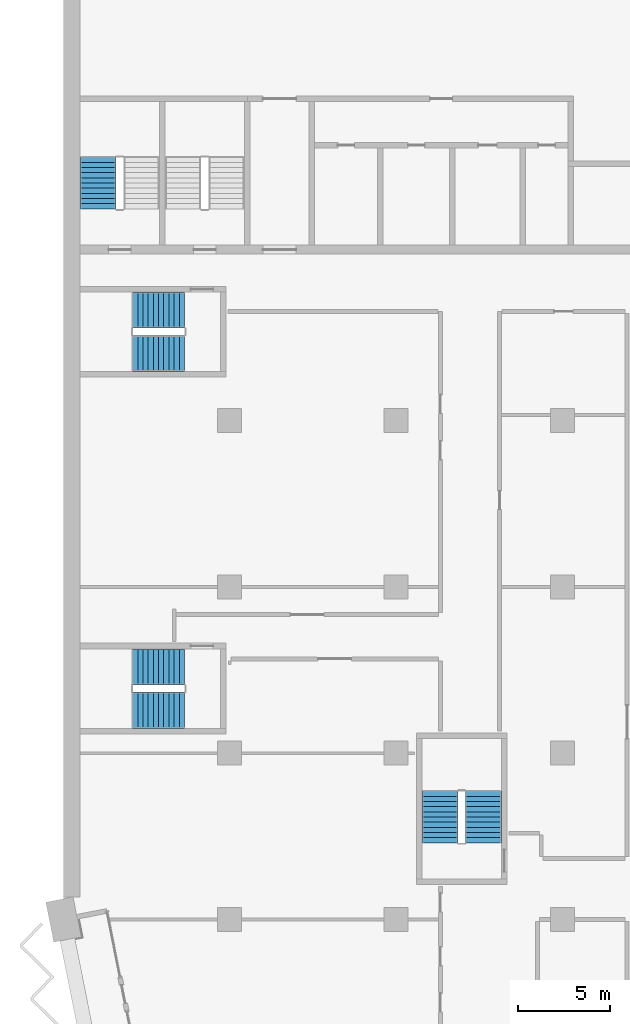
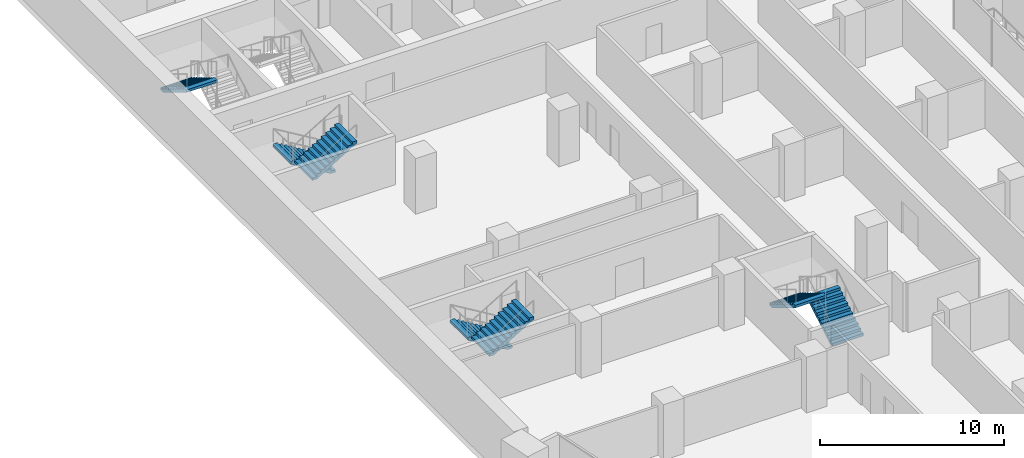
# One storey, part 16 of 23: 7 stair flights, 4 elements without a shape of their own.
"""IFC4 building model written with IfcOpenShell, lengths in metres."""

from ifc_helpers import new_model, si_unit, direction, frame, origin, place, context, subcontext, project, spatial, polyline, outline, extrude, material, type_object, element, aggregate, save


model = new_model("IFC4")

# Units and contexts
model_context = context("Model", 3, precision=1e-05, world=origin(), true_north=direction((0.0, 1.0)))
body_context = subcontext(model_context, "Body", "Model", "MODEL_VIEW")
ifc_project = project(units=[si_unit("LENGTHUNIT", "METRE"), si_unit("AREAUNIT", "SQUARE_METRE"), si_unit("VOLUMEUNIT", "CUBIC_METRE"), si_unit("PLANEANGLEUNIT", "RADIAN"), si_unit("MASSUNIT", "GRAM", prefix="KILO")], contexts=[model_context])

# Site, building, storey
site_placement = place(None, origin())
site = spatial("IfcSite", under=ifc_project, at=site_placement, CompositionType="ELEMENT")
building_placement = place(site_placement, origin())
building = spatial("IfcBuilding", under=site, at=building_placement, Name="Hunhe Ridgeline Campus", CompositionType="ELEMENT")
storey_placement = place(building_placement, frame((0.0, 0.0, 125.5)))
storey = spatial("IfcBuildingStorey", under=building, at=storey_placement, Name="L31", CompositionType="ELEMENT", Elevation=125.5)

# Stair, stair flight
ifc_material = material(Name="Concrete C40", Category="concrete")
stair_type = type_object("IfcStairType", Name="Reinforced concrete dog-leg stair 1950 Concrete C40", PredefinedType="HALF_TURN_STAIR", material=ifc_material)
stair_1_placement = place(storey_placement, origin())
stair_1 = element("IfcStair", 1, at=stair_1_placement, inside=storey, type_object=stair_type, Name="L31 S3", PredefinedType="HALF_TURN_STAIR")
stair_flight_type = type_object("IfcStairFlightType", Name="Reinforced concrete stair flight 1950 Concrete C40", PredefinedType="STRAIGHT", material=ifc_material)
stair_flight_1_placement = place(storey_placement, frame((1.875, 68.25, 1.85009765625), z_axis=(0.0, 0.0, 1.0), x_axis=(0.0, -1.0, 0.0)))
stair_flight_1 = element("IfcStairFlight", 2, at=stair_flight_1_placement, type_object=stair_flight_type, Name="ST3 flight 2", NumberOfRisers=11, NumberOfTreads=10, PredefinedType="STRAIGHT", RiserHeight=0.168181818, TreadLength=0.28, context=body_context, shape_type="SweptSolid", body=[
    extrude(outline(polyline([(0.0, 0.0), (0.0, 0.168212890625), (0.280029296875, 0.168212890625), (0.280029296875, 0.33642578125), (0.56005859375, 0.33642578125), (0.56005859375, 0.504638671875), (0.840087890625, 0.504638671875), (0.840087890625, 0.672607421875), (1.1201171875, 0.672607421875), (1.1201171875, 0.8408203125), (1.39990234375, 0.8408203125), (1.39990234375, 1.009033203125), (1.679931640625, 1.009033203125), (1.679931640625, 1.17724609375), (1.9599609375, 1.17724609375), (1.9599609375, 1.345458984375), (2.239990234375, 1.345458984375), (2.239990234375, 1.513671875), (2.52001953125, 1.513671875), (2.52001953125, 1.681884765625), (2.800048828125, 1.681884765625), (2.800048828125, 1.85009765625), (2.800048828125, 1.5068359375), (0.291015625, 0.0), (0.0, 0.0)])), frame((0.0, 0.97509765625, 0.0), z_axis=(0.0, -1.0, 0.0), x_axis=(1.0, 0.0, 0.0)), (0.0, 0.0, 1.0), 1.949951171875),
    extrude(outline(polyline([(0.030029296875, 0.030029296875), (0.030029296875, 0.13818359375), (0.31005859375, 0.13818359375), (0.31005859375, 0.306396484375), (0.590087890625, 0.306396484375), (0.590087890625, 0.474609375), (0.8701171875, 0.474609375), (0.8701171875, 0.642578125), (1.14990234375, 0.642578125), (1.14990234375, 0.810791015625), (1.429931640625, 0.810791015625), (1.429931640625, 0.97900390625), (1.7099609375, 0.97900390625), (1.7099609375, 1.147216796875), (1.989990234375, 1.147216796875), (1.989990234375, 1.3154296875), (2.27001953125, 1.3154296875), (2.27001953125, 1.483642578125), (2.550048828125, 1.483642578125), (2.550048828125, 1.65185546875), (2.77001953125, 1.65185546875), (2.77001953125, 1.52392578125), (0.28271484375, 0.030029296875), (0.030029296875, 0.030029296875)])), frame((0.0, -0.070068359375, 0.0), z_axis=(0.0, -1.0, 0.0), x_axis=(1.0, 0.0, 0.0)), (0.0, 0.0, 1.0), 0.019775390625),
    extrude(outline(polyline([(0.030029296875, 0.030029296875), (0.030029296875, 0.13818359375), (0.31005859375, 0.13818359375), (0.31005859375, 0.306396484375), (0.590087890625, 0.306396484375), (0.590087890625, 0.474609375), (0.8701171875, 0.474609375), (0.8701171875, 0.642578125), (1.14990234375, 0.642578125), (1.14990234375, 0.810791015625), (1.429931640625, 0.810791015625), (1.429931640625, 0.97900390625), (1.7099609375, 0.97900390625), (1.7099609375, 1.147216796875), (1.989990234375, 1.147216796875), (1.989990234375, 1.3154296875), (2.27001953125, 1.3154296875), (2.27001953125, 1.483642578125), (2.550048828125, 1.483642578125), (2.550048828125, 1.65185546875), (2.77001953125, 1.65185546875), (2.77001953125, 1.52392578125), (0.28271484375, 0.030029296875), (0.030029296875, 0.030029296875)])), frame((0.0, 0.010009765625, 0.0), z_axis=(0.0, -1.0, 0.0), x_axis=(1.0, 0.0, 0.0)), (0.0, 0.0, 1.0), 0.019775390625),
    extrude(outline(polyline([(0.030029296875, 0.030029296875), (0.030029296875, 0.13818359375), (0.31005859375, 0.13818359375), (0.31005859375, 0.306396484375), (0.590087890625, 0.306396484375), (0.590087890625, 0.474609375), (0.8701171875, 0.474609375), (0.8701171875, 0.642578125), (1.14990234375, 0.642578125), (1.14990234375, 0.810791015625), (1.429931640625, 0.810791015625), (1.429931640625, 0.97900390625), (1.7099609375, 0.97900390625), (1.7099609375, 1.147216796875), (1.989990234375, 1.147216796875), (1.989990234375, 1.3154296875), (2.27001953125, 1.3154296875), (2.27001953125, 1.483642578125), (2.550048828125, 1.483642578125), (2.550048828125, 1.65185546875), (2.77001953125, 1.65185546875), (2.77001953125, 1.52392578125), (0.28271484375, 0.030029296875), (0.030029296875, 0.030029296875)])), frame((0.0, 0.090087890625, 0.0), z_axis=(0.0, -1.0, 0.0), x_axis=(1.0, 0.0, 0.0)), (0.0, 0.0, 1.0), 0.019775390625),
])
aggregate(stair_1, [stair_flight_1])

# Stair, stair flights
stair_2_placement = place(storey_placement, origin())
stair_2 = element("IfcStair", 3, at=stair_2_placement, inside=storey, type_object=stair_type, Name="L31 W3", PredefinedType="HALF_TURN_STAIR")
stair_flight_2_placement = place(storey_placement, frame((22.72509765625, 31.14990234375, 0.0), z_axis=(0.0, 0.0, 1.0), x_axis=(0.0, 1.0, 0.0)))
stair_flight_2 = element("IfcStairFlight", 4, at=stair_flight_2_placement, type_object=stair_flight_type, Name="ST9 flight 1", NumberOfRisers=11, NumberOfTreads=10, PredefinedType="STRAIGHT", RiserHeight=0.168181818, TreadLength=0.28, context=body_context, shape_type="SweptSolid", body=[
    extrude(outline(polyline([(0.0, 0.0), (0.0, 0.168212890625), (0.280029296875, 0.168212890625), (0.280029296875, 0.33642578125), (0.56005859375, 0.33642578125), (0.56005859375, 0.504638671875), (0.840087890625, 0.504638671875), (0.840087890625, 0.672607421875), (1.1201171875, 0.672607421875), (1.1201171875, 0.8408203125), (1.39990234375, 0.8408203125), (1.39990234375, 1.009033203125), (1.679931640625, 1.009033203125), (1.679931640625, 1.17724609375), (1.9599609375, 1.17724609375), (1.9599609375, 1.345458984375), (2.239990234375, 1.345458984375), (2.239990234375, 1.513671875), (2.52001953125, 1.513671875), (2.52001953125, 1.681884765625), (2.800048828125, 1.681884765625), (2.800048828125, 1.85009765625), (2.800048828125, 1.5068359375), (0.291015625, 0.0), (0.0, 0.0)])), frame((0.0, 0.97509765625, 0.0), z_axis=(0.0, -1.0, 0.0), x_axis=(1.0, 0.0, 0.0)), (0.0, 0.0, 1.0), 1.949951171875),
    extrude(outline(polyline([(0.030029296875, 0.030029296875), (0.030029296875, 0.13818359375), (0.31005859375, 0.13818359375), (0.31005859375, 0.306396484375), (0.590087890625, 0.306396484375), (0.590087890625, 0.474609375), (0.8701171875, 0.474609375), (0.8701171875, 0.642578125), (1.14990234375, 0.642578125), (1.14990234375, 0.810791015625), (1.429931640625, 0.810791015625), (1.429931640625, 0.97900390625), (1.7099609375, 0.97900390625), (1.7099609375, 1.147216796875), (1.989990234375, 1.147216796875), (1.989990234375, 1.3154296875), (2.27001953125, 1.3154296875), (2.27001953125, 1.483642578125), (2.550048828125, 1.483642578125), (2.550048828125, 1.65185546875), (2.77001953125, 1.65185546875), (2.77001953125, 1.52392578125), (0.28271484375, 0.030029296875), (0.030029296875, 0.030029296875)])), frame((0.0, -0.070068359375, 0.0), z_axis=(0.0, -1.0, 0.0), x_axis=(1.0, 0.0, 0.0)), (0.0, 0.0, 1.0), 0.019775390625),
    extrude(outline(polyline([(0.030029296875, 0.030029296875), (0.030029296875, 0.13818359375), (0.31005859375, 0.13818359375), (0.31005859375, 0.306396484375), (0.590087890625, 0.306396484375), (0.590087890625, 0.474609375), (0.8701171875, 0.474609375), (0.8701171875, 0.642578125), (1.14990234375, 0.642578125), (1.14990234375, 0.810791015625), (1.429931640625, 0.810791015625), (1.429931640625, 0.97900390625), (1.7099609375, 0.97900390625), (1.7099609375, 1.147216796875), (1.989990234375, 1.147216796875), (1.989990234375, 1.3154296875), (2.27001953125, 1.3154296875), (2.27001953125, 1.483642578125), (2.550048828125, 1.483642578125), (2.550048828125, 1.65185546875), (2.77001953125, 1.65185546875), (2.77001953125, 1.52392578125), (0.28271484375, 0.030029296875), (0.030029296875, 0.030029296875)])), frame((0.0, 0.010009765625, 0.0), z_axis=(0.0, -1.0, 0.0), x_axis=(1.0, 0.0, 0.0)), (0.0, 0.0, 1.0), 0.019775390625),
    extrude(outline(polyline([(0.030029296875, 0.030029296875), (0.030029296875, 0.13818359375), (0.31005859375, 0.13818359375), (0.31005859375, 0.306396484375), (0.590087890625, 0.306396484375), (0.590087890625, 0.474609375), (0.8701171875, 0.474609375), (0.8701171875, 0.642578125), (1.14990234375, 0.642578125), (1.14990234375, 0.810791015625), (1.429931640625, 0.810791015625), (1.429931640625, 0.97900390625), (1.7099609375, 0.97900390625), (1.7099609375, 1.147216796875), (1.989990234375, 1.147216796875), (1.989990234375, 1.3154296875), (2.27001953125, 1.3154296875), (2.27001953125, 1.483642578125), (2.550048828125, 1.483642578125), (2.550048828125, 1.65185546875), (2.77001953125, 1.65185546875), (2.77001953125, 1.52392578125), (0.28271484375, 0.030029296875), (0.030029296875, 0.030029296875)])), frame((0.0, 0.090087890625, 0.0), z_axis=(0.0, -1.0, 0.0), x_axis=(1.0, 0.0, 0.0)), (0.0, 0.0, 1.0), 0.019775390625),
])
stair_flight_3_placement = place(storey_placement, frame((20.375, 33.949951171875, 1.85009765625), z_axis=(0.0, 0.0, 1.0), x_axis=(0.0, -1.0, 0.0)))
stair_flight_3 = element("IfcStairFlight", 5, at=stair_flight_3_placement, type_object=stair_flight_type, Name="ST9 flight 2", NumberOfRisers=11, NumberOfTreads=10, PredefinedType="STRAIGHT", RiserHeight=0.168181818, TreadLength=0.28, context=body_context, shape_type="SweptSolid", body=[
    extrude(outline(polyline([(0.0, 0.0), (0.0, 0.168212890625), (0.280029296875, 0.168212890625), (0.280029296875, 0.33642578125), (0.56005859375, 0.33642578125), (0.56005859375, 0.504638671875), (0.840087890625, 0.504638671875), (0.840087890625, 0.672607421875), (1.1201171875, 0.672607421875), (1.1201171875, 0.8408203125), (1.39990234375, 0.8408203125), (1.39990234375, 1.009033203125), (1.679931640625, 1.009033203125), (1.679931640625, 1.17724609375), (1.9599609375, 1.17724609375), (1.9599609375, 1.345458984375), (2.239990234375, 1.345458984375), (2.239990234375, 1.513671875), (2.52001953125, 1.513671875), (2.52001953125, 1.681884765625), (2.800048828125, 1.681884765625), (2.800048828125, 1.85009765625), (2.800048828125, 1.5068359375), (0.291015625, 0.0), (0.0, 0.0)])), frame((0.0, 0.97509765625, 0.0), z_axis=(0.0, -1.0, 0.0), x_axis=(1.0, 0.0, 0.0)), (0.0, 0.0, 1.0), 1.949951171875),
    extrude(outline(polyline([(0.030029296875, 0.030029296875), (0.030029296875, 0.13818359375), (0.31005859375, 0.13818359375), (0.31005859375, 0.306396484375), (0.590087890625, 0.306396484375), (0.590087890625, 0.474609375), (0.8701171875, 0.474609375), (0.8701171875, 0.642578125), (1.14990234375, 0.642578125), (1.14990234375, 0.810791015625), (1.429931640625, 0.810791015625), (1.429931640625, 0.97900390625), (1.7099609375, 0.97900390625), (1.7099609375, 1.147216796875), (1.989990234375, 1.147216796875), (1.989990234375, 1.3154296875), (2.27001953125, 1.3154296875), (2.27001953125, 1.483642578125), (2.550048828125, 1.483642578125), (2.550048828125, 1.65185546875), (2.77001953125, 1.65185546875), (2.77001953125, 1.52392578125), (0.28271484375, 0.030029296875), (0.030029296875, 0.030029296875)])), frame((0.0, -0.070068359375, 0.0), z_axis=(0.0, -1.0, 0.0), x_axis=(1.0, 0.0, 0.0)), (0.0, 0.0, 1.0), 0.019775390625),
    extrude(outline(polyline([(0.030029296875, 0.030029296875), (0.030029296875, 0.13818359375), (0.31005859375, 0.13818359375), (0.31005859375, 0.306396484375), (0.590087890625, 0.306396484375), (0.590087890625, 0.474609375), (0.8701171875, 0.474609375), (0.8701171875, 0.642578125), (1.14990234375, 0.642578125), (1.14990234375, 0.810791015625), (1.429931640625, 0.810791015625), (1.429931640625, 0.97900390625), (1.7099609375, 0.97900390625), (1.7099609375, 1.147216796875), (1.989990234375, 1.147216796875), (1.989990234375, 1.3154296875), (2.27001953125, 1.3154296875), (2.27001953125, 1.483642578125), (2.550048828125, 1.483642578125), (2.550048828125, 1.65185546875), (2.77001953125, 1.65185546875), (2.77001953125, 1.52392578125), (0.28271484375, 0.030029296875), (0.030029296875, 0.030029296875)])), frame((0.0, 0.010009765625, 0.0), z_axis=(0.0, -1.0, 0.0), x_axis=(1.0, 0.0, 0.0)), (0.0, 0.0, 1.0), 0.019775390625),
    extrude(outline(polyline([(0.030029296875, 0.030029296875), (0.030029296875, 0.13818359375), (0.31005859375, 0.13818359375), (0.31005859375, 0.306396484375), (0.590087890625, 0.306396484375), (0.590087890625, 0.474609375), (0.8701171875, 0.474609375), (0.8701171875, 0.642578125), (1.14990234375, 0.642578125), (1.14990234375, 0.810791015625), (1.429931640625, 0.810791015625), (1.429931640625, 0.97900390625), (1.7099609375, 0.97900390625), (1.7099609375, 1.147216796875), (1.989990234375, 1.147216796875), (1.989990234375, 1.3154296875), (2.27001953125, 1.3154296875), (2.27001953125, 1.483642578125), (2.550048828125, 1.483642578125), (2.550048828125, 1.65185546875), (2.77001953125, 1.65185546875), (2.77001953125, 1.52392578125), (0.28271484375, 0.030029296875), (0.030029296875, 0.030029296875)])), frame((0.0, 0.090087890625, 0.0), z_axis=(0.0, -1.0, 0.0), x_axis=(1.0, 0.0, 0.0)), (0.0, 0.0, 1.0), 0.019775390625),
])
aggregate(stair_2, [stair_flight_2, stair_flight_3])

stair_3_placement = place(storey_placement, origin())
stair_3 = element("IfcStair", 6, at=stair_3_placement, inside=storey, type_object=stair_type, Name="L31 W1", PredefinedType="HALF_TURN_STAIR")
stair_flight_4_placement = place(storey_placement, frame((6.550048828125, 40.675048828125, 0.0), z_axis=(0.0, 0.0, 1.0), x_axis=(-1.0, 0.0, 0.0)))
stair_flight_4 = element("IfcStairFlight", 7, at=stair_flight_4_placement, type_object=stair_flight_type, Name="ST11 flight 1", NumberOfRisers=11, NumberOfTreads=10, PredefinedType="STRAIGHT", RiserHeight=0.168181818, TreadLength=0.28, context=body_context, shape_type="SweptSolid", body=[
    extrude(outline(polyline([(0.0, 0.0), (0.0, 0.168212890625), (0.280029296875, 0.168212890625), (0.280029296875, 0.33642578125), (0.56005859375, 0.33642578125), (0.56005859375, 0.504638671875), (0.840087890625, 0.504638671875), (0.840087890625, 0.672607421875), (1.1201171875, 0.672607421875), (1.1201171875, 0.8408203125), (1.39990234375, 0.8408203125), (1.39990234375, 1.009033203125), (1.679931640625, 1.009033203125), (1.679931640625, 1.17724609375), (1.9599609375, 1.17724609375), (1.9599609375, 1.345458984375), (2.239990234375, 1.345458984375), (2.239990234375, 1.513671875), (2.52001953125, 1.513671875), (2.52001953125, 1.681884765625), (2.800048828125, 1.681884765625), (2.800048828125, 1.85009765625), (2.800048828125, 1.5068359375), (0.291015625, 0.0), (0.0, 0.0)])), frame((0.0, 0.97509765625, 0.0), z_axis=(0.0, -1.0, 0.0), x_axis=(1.0, 0.0, 0.0)), (0.0, 0.0, 1.0), 1.949951171875),
    extrude(outline(polyline([(0.030029296875, 0.030029296875), (0.030029296875, 0.13818359375), (0.31005859375, 0.13818359375), (0.31005859375, 0.306396484375), (0.590087890625, 0.306396484375), (0.590087890625, 0.474609375), (0.8701171875, 0.474609375), (0.8701171875, 0.642578125), (1.14990234375, 0.642578125), (1.14990234375, 0.810791015625), (1.429931640625, 0.810791015625), (1.429931640625, 0.97900390625), (1.7099609375, 0.97900390625), (1.7099609375, 1.147216796875), (1.989990234375, 1.147216796875), (1.989990234375, 1.3154296875), (2.27001953125, 1.3154296875), (2.27001953125, 1.483642578125), (2.550048828125, 1.483642578125), (2.550048828125, 1.65185546875), (2.77001953125, 1.65185546875), (2.77001953125, 1.52392578125), (0.28271484375, 0.030029296875), (0.030029296875, 0.030029296875)])), frame((0.0, -0.070068359375, 0.0), z_axis=(0.0, -1.0, 0.0), x_axis=(1.0, 0.0, 0.0)), (0.0, 0.0, 1.0), 0.019775390625),
    extrude(outline(polyline([(0.030029296875, 0.030029296875), (0.030029296875, 0.13818359375), (0.31005859375, 0.13818359375), (0.31005859375, 0.306396484375), (0.590087890625, 0.306396484375), (0.590087890625, 0.474609375), (0.8701171875, 0.474609375), (0.8701171875, 0.642578125), (1.14990234375, 0.642578125), (1.14990234375, 0.810791015625), (1.429931640625, 0.810791015625), (1.429931640625, 0.97900390625), (1.7099609375, 0.97900390625), (1.7099609375, 1.147216796875), (1.989990234375, 1.147216796875), (1.989990234375, 1.3154296875), (2.27001953125, 1.3154296875), (2.27001953125, 1.483642578125), (2.550048828125, 1.483642578125), (2.550048828125, 1.65185546875), (2.77001953125, 1.65185546875), (2.77001953125, 1.52392578125), (0.28271484375, 0.030029296875), (0.030029296875, 0.030029296875)])), frame((0.0, 0.010009765625, 0.0), z_axis=(0.0, -1.0, 0.0), x_axis=(1.0, 0.0, 0.0)), (0.0, 0.0, 1.0), 0.019775390625),
    extrude(outline(polyline([(0.030029296875, 0.030029296875), (0.030029296875, 0.13818359375), (0.31005859375, 0.13818359375), (0.31005859375, 0.306396484375), (0.590087890625, 0.306396484375), (0.590087890625, 0.474609375), (0.8701171875, 0.474609375), (0.8701171875, 0.642578125), (1.14990234375, 0.642578125), (1.14990234375, 0.810791015625), (1.429931640625, 0.810791015625), (1.429931640625, 0.97900390625), (1.7099609375, 0.97900390625), (1.7099609375, 1.147216796875), (1.989990234375, 1.147216796875), (1.989990234375, 1.3154296875), (2.27001953125, 1.3154296875), (2.27001953125, 1.483642578125), (2.550048828125, 1.483642578125), (2.550048828125, 1.65185546875), (2.77001953125, 1.65185546875), (2.77001953125, 1.52392578125), (0.28271484375, 0.030029296875), (0.030029296875, 0.030029296875)])), frame((0.0, 0.090087890625, 0.0), z_axis=(0.0, -1.0, 0.0), x_axis=(1.0, 0.0, 0.0)), (0.0, 0.0, 1.0), 0.019775390625),
])
stair_flight_5_placement = place(storey_placement, frame((3.75, 38.324951171875, 1.85009765625), z_axis=(0.0, 0.0, 1.0), x_axis=(1.0, 0.0, 0.0)))
stair_flight_5 = element("IfcStairFlight", 8, at=stair_flight_5_placement, type_object=stair_flight_type, Name="ST11 flight 2", NumberOfRisers=11, NumberOfTreads=10, PredefinedType="STRAIGHT", RiserHeight=0.168181818, TreadLength=0.28, context=body_context, shape_type="SweptSolid", body=[
    extrude(outline(polyline([(0.0, 0.0), (0.0, 0.168212890625), (0.280029296875, 0.168212890625), (0.280029296875, 0.33642578125), (0.56005859375, 0.33642578125), (0.56005859375, 0.504638671875), (0.840087890625, 0.504638671875), (0.840087890625, 0.672607421875), (1.1201171875, 0.672607421875), (1.1201171875, 0.8408203125), (1.39990234375, 0.8408203125), (1.39990234375, 1.009033203125), (1.679931640625, 1.009033203125), (1.679931640625, 1.17724609375), (1.9599609375, 1.17724609375), (1.9599609375, 1.345458984375), (2.239990234375, 1.345458984375), (2.239990234375, 1.513671875), (2.52001953125, 1.513671875), (2.52001953125, 1.681884765625), (2.800048828125, 1.681884765625), (2.800048828125, 1.85009765625), (2.800048828125, 1.5068359375), (0.291015625, 0.0), (0.0, 0.0)])), frame((0.0, 0.97509765625, 0.0), z_axis=(0.0, -1.0, 0.0), x_axis=(1.0, 0.0, 0.0)), (0.0, 0.0, 1.0), 1.949951171875),
    extrude(outline(polyline([(0.030029296875, 0.030029296875), (0.030029296875, 0.13818359375), (0.31005859375, 0.13818359375), (0.31005859375, 0.306396484375), (0.590087890625, 0.306396484375), (0.590087890625, 0.474609375), (0.8701171875, 0.474609375), (0.8701171875, 0.642578125), (1.14990234375, 0.642578125), (1.14990234375, 0.810791015625), (1.429931640625, 0.810791015625), (1.429931640625, 0.97900390625), (1.7099609375, 0.97900390625), (1.7099609375, 1.147216796875), (1.989990234375, 1.147216796875), (1.989990234375, 1.3154296875), (2.27001953125, 1.3154296875), (2.27001953125, 1.483642578125), (2.550048828125, 1.483642578125), (2.550048828125, 1.65185546875), (2.77001953125, 1.65185546875), (2.77001953125, 1.52392578125), (0.28271484375, 0.030029296875), (0.030029296875, 0.030029296875)])), frame((0.0, -0.070068359375, 0.0), z_axis=(0.0, -1.0, 0.0), x_axis=(1.0, 0.0, 0.0)), (0.0, 0.0, 1.0), 0.019775390625),
    extrude(outline(polyline([(0.030029296875, 0.030029296875), (0.030029296875, 0.13818359375), (0.31005859375, 0.13818359375), (0.31005859375, 0.306396484375), (0.590087890625, 0.306396484375), (0.590087890625, 0.474609375), (0.8701171875, 0.474609375), (0.8701171875, 0.642578125), (1.14990234375, 0.642578125), (1.14990234375, 0.810791015625), (1.429931640625, 0.810791015625), (1.429931640625, 0.97900390625), (1.7099609375, 0.97900390625), (1.7099609375, 1.147216796875), (1.989990234375, 1.147216796875), (1.989990234375, 1.3154296875), (2.27001953125, 1.3154296875), (2.27001953125, 1.483642578125), (2.550048828125, 1.483642578125), (2.550048828125, 1.65185546875), (2.77001953125, 1.65185546875), (2.77001953125, 1.52392578125), (0.28271484375, 0.030029296875), (0.030029296875, 0.030029296875)])), frame((0.0, 0.010009765625, 0.0), z_axis=(0.0, -1.0, 0.0), x_axis=(1.0, 0.0, 0.0)), (0.0, 0.0, 1.0), 0.019775390625),
    extrude(outline(polyline([(0.030029296875, 0.030029296875), (0.030029296875, 0.13818359375), (0.31005859375, 0.13818359375), (0.31005859375, 0.306396484375), (0.590087890625, 0.306396484375), (0.590087890625, 0.474609375), (0.8701171875, 0.474609375), (0.8701171875, 0.642578125), (1.14990234375, 0.642578125), (1.14990234375, 0.810791015625), (1.429931640625, 0.810791015625), (1.429931640625, 0.97900390625), (1.7099609375, 0.97900390625), (1.7099609375, 1.147216796875), (1.989990234375, 1.147216796875), (1.989990234375, 1.3154296875), (2.27001953125, 1.3154296875), (2.27001953125, 1.483642578125), (2.550048828125, 1.483642578125), (2.550048828125, 1.65185546875), (2.77001953125, 1.65185546875), (2.77001953125, 1.52392578125), (0.28271484375, 0.030029296875), (0.030029296875, 0.030029296875)])), frame((0.0, 0.090087890625, 0.0), z_axis=(0.0, -1.0, 0.0), x_axis=(1.0, 0.0, 0.0)), (0.0, 0.0, 1.0), 0.019775390625),
])
aggregate(stair_3, [stair_flight_4, stair_flight_5])

stair_4_placement = place(storey_placement, origin())
stair_4 = element("IfcStair", 9, at=stair_4_placement, inside=storey, type_object=stair_type, Name="L31 W2", PredefinedType="HALF_TURN_STAIR")
stair_flight_6_placement = place(storey_placement, frame((6.550048828125, 59.97509765625, 0.0), z_axis=(0.0, 0.0, 1.0), x_axis=(-1.0, 0.0, 0.0)))
stair_flight_6 = element("IfcStairFlight", 10, at=stair_flight_6_placement, type_object=stair_flight_type, Name="ST12 flight 1", NumberOfRisers=11, NumberOfTreads=10, PredefinedType="STRAIGHT", RiserHeight=0.168181818, TreadLength=0.28, context=body_context, shape_type="SweptSolid", body=[
    extrude(outline(polyline([(0.0, 0.0), (0.0, 0.168212890625), (0.280029296875, 0.168212890625), (0.280029296875, 0.33642578125), (0.56005859375, 0.33642578125), (0.56005859375, 0.504638671875), (0.840087890625, 0.504638671875), (0.840087890625, 0.672607421875), (1.1201171875, 0.672607421875), (1.1201171875, 0.8408203125), (1.39990234375, 0.8408203125), (1.39990234375, 1.009033203125), (1.679931640625, 1.009033203125), (1.679931640625, 1.17724609375), (1.9599609375, 1.17724609375), (1.9599609375, 1.345458984375), (2.239990234375, 1.345458984375), (2.239990234375, 1.513671875), (2.52001953125, 1.513671875), (2.52001953125, 1.681884765625), (2.800048828125, 1.681884765625), (2.800048828125, 1.85009765625), (2.800048828125, 1.5068359375), (0.291015625, 0.0), (0.0, 0.0)])), frame((0.0, 0.97509765625, 0.0), z_axis=(0.0, -1.0, 0.0), x_axis=(1.0, 0.0, 0.0)), (0.0, 0.0, 1.0), 1.949951171875),
    extrude(outline(polyline([(0.030029296875, 0.030029296875), (0.030029296875, 0.13818359375), (0.31005859375, 0.13818359375), (0.31005859375, 0.306396484375), (0.590087890625, 0.306396484375), (0.590087890625, 0.474609375), (0.8701171875, 0.474609375), (0.8701171875, 0.642578125), (1.14990234375, 0.642578125), (1.14990234375, 0.810791015625), (1.429931640625, 0.810791015625), (1.429931640625, 0.97900390625), (1.7099609375, 0.97900390625), (1.7099609375, 1.147216796875), (1.989990234375, 1.147216796875), (1.989990234375, 1.3154296875), (2.27001953125, 1.3154296875), (2.27001953125, 1.483642578125), (2.550048828125, 1.483642578125), (2.550048828125, 1.65185546875), (2.77001953125, 1.65185546875), (2.77001953125, 1.52392578125), (0.28271484375, 0.030029296875), (0.030029296875, 0.030029296875)])), frame((0.0, -0.070068359375, 0.0), z_axis=(0.0, -1.0, 0.0), x_axis=(1.0, 0.0, 0.0)), (0.0, 0.0, 1.0), 0.019775390625),
    extrude(outline(polyline([(0.030029296875, 0.030029296875), (0.030029296875, 0.13818359375), (0.31005859375, 0.13818359375), (0.31005859375, 0.306396484375), (0.590087890625, 0.306396484375), (0.590087890625, 0.474609375), (0.8701171875, 0.474609375), (0.8701171875, 0.642578125), (1.14990234375, 0.642578125), (1.14990234375, 0.810791015625), (1.429931640625, 0.810791015625), (1.429931640625, 0.97900390625), (1.7099609375, 0.97900390625), (1.7099609375, 1.147216796875), (1.989990234375, 1.147216796875), (1.989990234375, 1.3154296875), (2.27001953125, 1.3154296875), (2.27001953125, 1.483642578125), (2.550048828125, 1.483642578125), (2.550048828125, 1.65185546875), (2.77001953125, 1.65185546875), (2.77001953125, 1.52392578125), (0.28271484375, 0.030029296875), (0.030029296875, 0.030029296875)])), frame((0.0, 0.010009765625, 0.0), z_axis=(0.0, -1.0, 0.0), x_axis=(1.0, 0.0, 0.0)), (0.0, 0.0, 1.0), 0.019775390625),
    extrude(outline(polyline([(0.030029296875, 0.030029296875), (0.030029296875, 0.13818359375), (0.31005859375, 0.13818359375), (0.31005859375, 0.306396484375), (0.590087890625, 0.306396484375), (0.590087890625, 0.474609375), (0.8701171875, 0.474609375), (0.8701171875, 0.642578125), (1.14990234375, 0.642578125), (1.14990234375, 0.810791015625), (1.429931640625, 0.810791015625), (1.429931640625, 0.97900390625), (1.7099609375, 0.97900390625), (1.7099609375, 1.147216796875), (1.989990234375, 1.147216796875), (1.989990234375, 1.3154296875), (2.27001953125, 1.3154296875), (2.27001953125, 1.483642578125), (2.550048828125, 1.483642578125), (2.550048828125, 1.65185546875), (2.77001953125, 1.65185546875), (2.77001953125, 1.52392578125), (0.28271484375, 0.030029296875), (0.030029296875, 0.030029296875)])), frame((0.0, 0.090087890625, 0.0), z_axis=(0.0, -1.0, 0.0), x_axis=(1.0, 0.0, 0.0)), (0.0, 0.0, 1.0), 0.019775390625),
])
stair_flight_7_placement = place(storey_placement, frame((3.75, 57.625, 1.85009765625), z_axis=(0.0, 0.0, 1.0), x_axis=(1.0, 0.0, 0.0)))
stair_flight_7 = element("IfcStairFlight", 11, at=stair_flight_7_placement, type_object=stair_flight_type, Name="ST12 flight 2", NumberOfRisers=11, NumberOfTreads=10, PredefinedType="STRAIGHT", RiserHeight=0.168181818, TreadLength=0.28, context=body_context, shape_type="SweptSolid", body=[
    extrude(outline(polyline([(0.0, 0.0), (0.0, 0.168212890625), (0.280029296875, 0.168212890625), (0.280029296875, 0.33642578125), (0.56005859375, 0.33642578125), (0.56005859375, 0.504638671875), (0.840087890625, 0.504638671875), (0.840087890625, 0.672607421875), (1.1201171875, 0.672607421875), (1.1201171875, 0.8408203125), (1.39990234375, 0.8408203125), (1.39990234375, 1.009033203125), (1.679931640625, 1.009033203125), (1.679931640625, 1.17724609375), (1.9599609375, 1.17724609375), (1.9599609375, 1.345458984375), (2.239990234375, 1.345458984375), (2.239990234375, 1.513671875), (2.52001953125, 1.513671875), (2.52001953125, 1.681884765625), (2.800048828125, 1.681884765625), (2.800048828125, 1.85009765625), (2.800048828125, 1.5068359375), (0.291015625, 0.0), (0.0, 0.0)])), frame((0.0, 0.97509765625, 0.0), z_axis=(0.0, -1.0, 0.0), x_axis=(1.0, 0.0, 0.0)), (0.0, 0.0, 1.0), 1.949951171875),
    extrude(outline(polyline([(0.030029296875, 0.030029296875), (0.030029296875, 0.13818359375), (0.31005859375, 0.13818359375), (0.31005859375, 0.306396484375), (0.590087890625, 0.306396484375), (0.590087890625, 0.474609375), (0.8701171875, 0.474609375), (0.8701171875, 0.642578125), (1.14990234375, 0.642578125), (1.14990234375, 0.810791015625), (1.429931640625, 0.810791015625), (1.429931640625, 0.97900390625), (1.7099609375, 0.97900390625), (1.7099609375, 1.147216796875), (1.989990234375, 1.147216796875), (1.989990234375, 1.3154296875), (2.27001953125, 1.3154296875), (2.27001953125, 1.483642578125), (2.550048828125, 1.483642578125), (2.550048828125, 1.65185546875), (2.77001953125, 1.65185546875), (2.77001953125, 1.52392578125), (0.28271484375, 0.030029296875), (0.030029296875, 0.030029296875)])), frame((0.0, -0.070068359375, 0.0), z_axis=(0.0, -1.0, 0.0), x_axis=(1.0, 0.0, 0.0)), (0.0, 0.0, 1.0), 0.019775390625),
    extrude(outline(polyline([(0.030029296875, 0.030029296875), (0.030029296875, 0.13818359375), (0.31005859375, 0.13818359375), (0.31005859375, 0.306396484375), (0.590087890625, 0.306396484375), (0.590087890625, 0.474609375), (0.8701171875, 0.474609375), (0.8701171875, 0.642578125), (1.14990234375, 0.642578125), (1.14990234375, 0.810791015625), (1.429931640625, 0.810791015625), (1.429931640625, 0.97900390625), (1.7099609375, 0.97900390625), (1.7099609375, 1.147216796875), (1.989990234375, 1.147216796875), (1.989990234375, 1.3154296875), (2.27001953125, 1.3154296875), (2.27001953125, 1.483642578125), (2.550048828125, 1.483642578125), (2.550048828125, 1.65185546875), (2.77001953125, 1.65185546875), (2.77001953125, 1.52392578125), (0.28271484375, 0.030029296875), (0.030029296875, 0.030029296875)])), frame((0.0, 0.010009765625, 0.0), z_axis=(0.0, -1.0, 0.0), x_axis=(1.0, 0.0, 0.0)), (0.0, 0.0, 1.0), 0.019775390625),
    extrude(outline(polyline([(0.030029296875, 0.030029296875), (0.030029296875, 0.13818359375), (0.31005859375, 0.13818359375), (0.31005859375, 0.306396484375), (0.590087890625, 0.306396484375), (0.590087890625, 0.474609375), (0.8701171875, 0.474609375), (0.8701171875, 0.642578125), (1.14990234375, 0.642578125), (1.14990234375, 0.810791015625), (1.429931640625, 0.810791015625), (1.429931640625, 0.97900390625), (1.7099609375, 0.97900390625), (1.7099609375, 1.147216796875), (1.989990234375, 1.147216796875), (1.989990234375, 1.3154296875), (2.27001953125, 1.3154296875), (2.27001953125, 1.483642578125), (2.550048828125, 1.483642578125), (2.550048828125, 1.65185546875), (2.77001953125, 1.65185546875), (2.77001953125, 1.52392578125), (0.28271484375, 0.030029296875), (0.030029296875, 0.030029296875)])), frame((0.0, 0.090087890625, 0.0), z_axis=(0.0, -1.0, 0.0), x_axis=(1.0, 0.0, 0.0)), (0.0, 0.0, 1.0), 0.019775390625),
])
aggregate(stair_4, [stair_flight_6, stair_flight_7])

save(model, "model.ifc")
